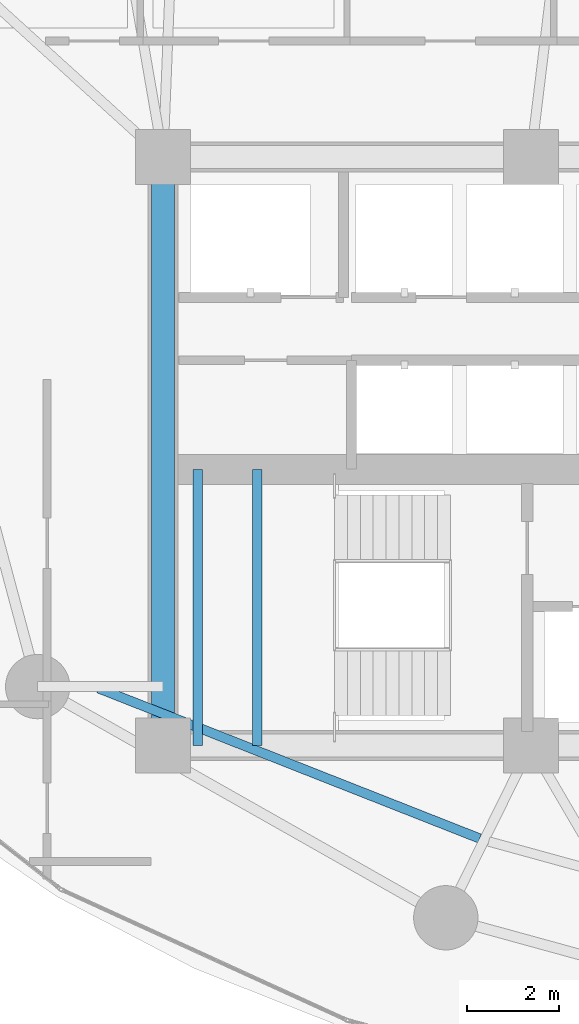
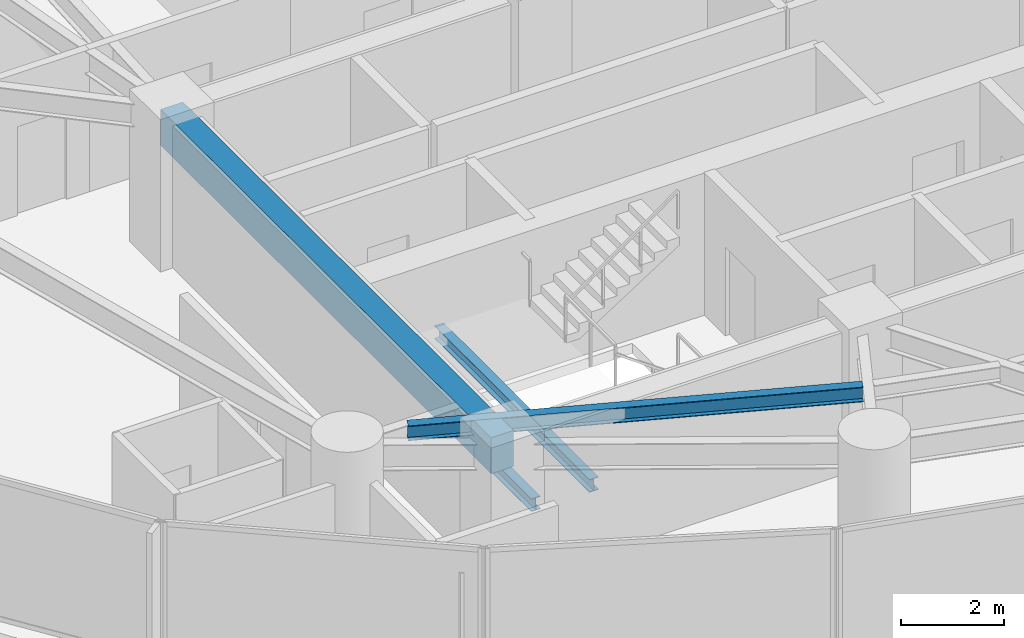
# One storey, part 4 of 33: 4 beams.
"""IFC4 building model written with IfcOpenShell, lengths in metres."""

from ifc_helpers import new_model, si_unit, direction, frame, origin, origin_2d, place, context, subcontext, project, spatial, rectangle, i_section, extrude, material, material_profile, profile_set, type_object, element, save


model = new_model("IFC4")

# Units and contexts
model_context = context("Model", 3, precision=1e-05, world=origin(), true_north=direction((0.0, 1.0)))
body_context = subcontext(model_context, "Body", "Model", "MODEL_VIEW")
ifc_project = project(units=[si_unit("LENGTHUNIT", "METRE"), si_unit("AREAUNIT", "SQUARE_METRE"), si_unit("VOLUMEUNIT", "CUBIC_METRE"), si_unit("PLANEANGLEUNIT", "RADIAN"), si_unit("MASSUNIT", "GRAM", prefix="KILO")], contexts=[model_context])

# Site, building, storey
site_placement = place(None, origin())
site = spatial("IfcSite", under=ifc_project, at=site_placement, CompositionType="ELEMENT")
building_placement = place(site_placement, origin())
building = spatial("IfcBuilding", under=site, at=building_placement, Name="Kazevale Care Tower and Concert Hall", CompositionType="ELEMENT")
storey_placement = place(building_placement, frame((0.0, 0.0, 49.199951171875)))
storey = spatial("IfcBuildingStorey", under=building, at=storey_placement, Name="L12", CompositionType="ELEMENT", Elevation=49.199951171875)

# Beams
ifc_material_1 = material(Name="Concrete C60", Category="concrete")
ifc_material_profile_1 = material_profile(ifc_material_1, rectangle(XDim=0.5, YDim=0.85009765625, at=origin_2d()), Name="RC-B500x850")
ifc_profile_set_1 = profile_set([ifc_material_profile_1], Name="Concrete C60")
beam_type_1 = type_object("IfcBeamType", Name="Core Coupling Beam RC500x850", PredefinedType="LINTEL", material=ifc_profile_set_1)
beam_1_placement = place(storey_placement, frame((22.0, 36.39990234375, 2.93505859375), z_axis=(0.0, -1.0, 0.0), x_axis=(1.0, 0.0, 0.0)))
element("IfcBeam", 1, at=beam_1_placement, inside=storey, type_object=beam_type_1, Name="beam:L12:coretie:8", PredefinedType="LINTEL", context=body_context, shape_type="SweptSolid", body=[
    extrude(rectangle(XDim=0.5, YDim=0.85009765625, at=origin_2d()), origin(), (0.0, 0.0, 1.0), 12.7998046875),
])
ifc_material_2 = material(Name="Steel ASTM A572 Gr 50", Category="steel")
ifc_material_profile_2 = material_profile(ifc_material_2, i_section(OverallWidth=0.205078125, OverallDepth=0.35400390625, WebThickness=0.009521484375, FlangeThickness=0.016845703125, at=origin_2d()), Name="W360x79")
ifc_profile_set_2 = profile_set([ifc_material_profile_2], Name="Steel ASTM A572 Gr 50")
beam_type_2 = type_object("IfcBeamType", Name="Secondary Floor Joist W360x79", PredefinedType="JOIST", material=ifc_profile_set_2)
beam_2_placement = place(storey_placement, frame((20.595947265625, 24.842041015625, 3.18310546875), z_axis=(0.930380638802, -0.366594963062, 0.0), x_axis=(0.366594963062, 0.930380638802, 0.0)))
element("IfcBeam", 2, at=beam_2_placement, inside=storey, type_object=beam_type_2, Name="beam:L12:joist:10", PredefinedType="JOIST", context=body_context, shape_type="SweptSolid", body=[
    extrude(i_section(OverallWidth=0.205078125, OverallDepth=0.35400390625, WebThickness=0.009521484375, FlangeThickness=0.016845703125, at=origin_2d()), origin(), (0.0, 0.0, 1.0), 8.909423828125),
])
ifc_material_profile_3 = material_profile(ifc_material_2, i_section(OverallWidth=0.202880859375, OverallDepth=0.302978515625, WebThickness=0.007568359375, FlangeThickness=0.01318359375, at=origin_2d()), Name="W310x60")
ifc_profile_set_3 = profile_set([ifc_material_profile_3], Name="Steel ASTM A572 Gr 50")
beam_type_3 = type_object("IfcBeamType", Name="Stair & Balcony Trimmer W310x60", PredefinedType="BEAM", material=ifc_profile_set_3)
for number, where, z_axis, x_axis, name in (
    (3, (22.75, 23.60009765625, 1.448486328125), (0.0, 1.0, 0.0), (-1.0, 0.0, 0.0), "beam:L12:sttrim:ST1"),
    (4, (24.050048828125, 23.60009765625, 1.448486328125), (0.0, 1.0, 0.0), (-1.0, 0.0, 0.0), "beam:L12:sttrim:ST1b"),
):
    element("IfcBeam", number, at=place(storey_placement, frame(where, z_axis=z_axis, x_axis=x_axis)), inside=storey, type_object=beam_type_3, Name=name, PredefinedType="BEAM", context=body_context, shape_type="SweptSolid", body=[
        extrude(i_section(OverallWidth=0.202880859375, OverallDepth=0.302978515625, WebThickness=0.007568359375, FlangeThickness=0.01318359375, at=origin_2d()), origin(), (0.0, 0.0, 1.0), 6.0),
    ])

save(model, "model.ifc")
